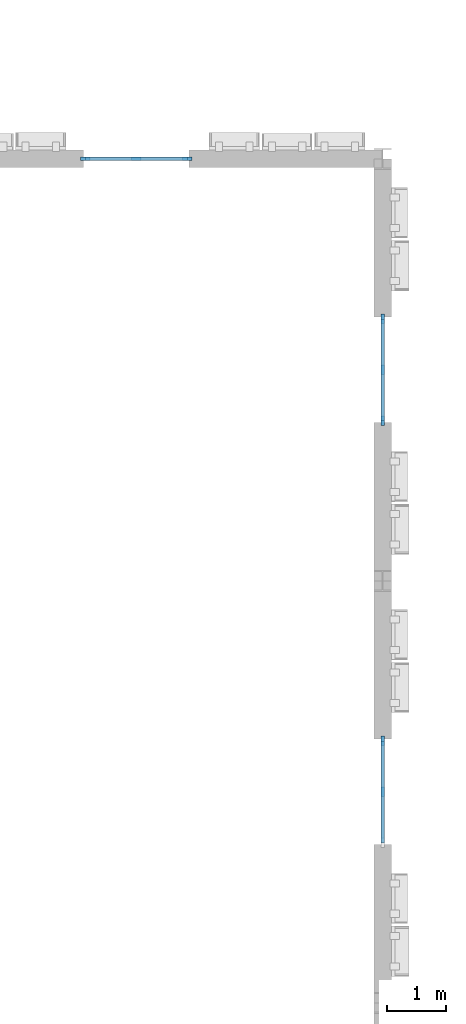
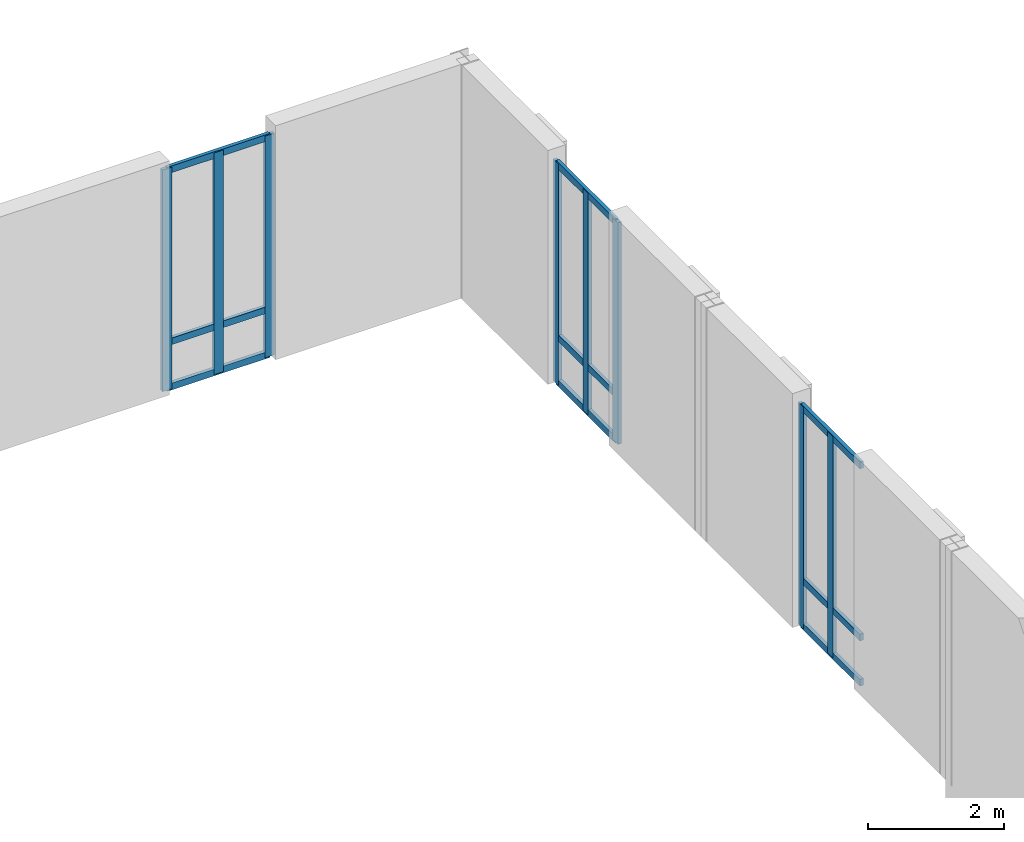
# One storey, part 8 of 81: 17 members, 3 elements without a shape of their own.
"""IFC4 building model written with IfcOpenShell, lengths in metres."""

from ifc_helpers import new_model, si_unit, direction, frame, origin, origin_2d, place, context, subcontext, project, spatial, rectangle, extrude, material, material_profile, profile_set, type_object, element, aggregate, save


model = new_model("IFC4")

# Units and contexts
model_context = context("Model", 3, precision=1e-05, world=origin(), true_north=direction((0.0, 1.0)))
body_context = subcontext(model_context, "Body", "Model", "MODEL_VIEW")
ifc_project = project(units=[si_unit("LENGTHUNIT", "METRE"), si_unit("AREAUNIT", "SQUARE_METRE"), si_unit("VOLUMEUNIT", "CUBIC_METRE"), si_unit("PLANEANGLEUNIT", "RADIAN"), si_unit("MASSUNIT", "GRAM", prefix="KILO")], contexts=[model_context])

# Site, building, storey
site_placement = place(None, origin())
site = spatial("IfcSite", under=ifc_project, at=site_placement, CompositionType="ELEMENT")
building_placement = place(site_placement, origin())
building = spatial("IfcBuilding", under=site, at=building_placement, Name="Kahlenmark Community Centre", CompositionType="ELEMENT")
storey_placement = place(building_placement, frame((0.0, 0.0, 9.60009765625)))
storey = spatial("IfcBuildingStorey", under=building, at=storey_placement, Name="L02", CompositionType="ELEMENT", Elevation=9.60009765625)

# Curtain wall, members
ifc_material_1 = material(Name="Anodised aluminium unitised curtain wall", Category="aluminium")
curtain_wall_type = type_object("IfcCurtainWallType", Name="CWT-UNIT-180X398", PredefinedType="USERDEFINED", material=ifc_material_1)
curtain_wall_1_placement = place(storey_placement, origin())
curtain_wall_1 = element("IfcCurtainWall", 1, at=curtain_wall_1_placement, inside=storey, type_object=curtain_wall_type, Name="Unitised curtain wall CW-065", ObjectType="UNITISED CURTAIN WALL", PredefinedType="USERDEFINED")
ifc_material_2 = material(Name="Anodised aluminium 6063-T6", Category="aluminium")
ifc_material_profile_1 = material_profile(ifc_material_2, rectangle(XDim=0.06005859375, YDim=0.159912109375, at=origin_2d()), Name="ALU MULLION 60x160")
ifc_profile_set_1 = profile_set([ifc_material_profile_1], Name="Anodised aluminium 6063-T6")
member_type_1 = type_object("IfcMemberType", Name="MT-MUL-160", PredefinedType="MULLION", material=ifc_profile_set_1)
member_1_placement = place(storey_placement, frame((42.669921875, 37.60009765625, 0.0), z_axis=(0.0, 0.0, 1.0), x_axis=(0.0, -1.0, 0.0)))
member_1 = element("IfcMember", 2, at=member_1_placement, type_object=member_type_1, Name="CW-065 mullion 1", PredefinedType="MULLION", context=body_context, shape_type="SweptSolid", body=[
    extrude(rectangle(XDim=0.06005859375, YDim=0.159912109375, at=origin_2d()), origin(), (0.0, 0.0, 1.0), 3.97998046875),
])
member_2_placement = place(storey_placement, frame((41.800048828125, 37.60009765625, 0.0), z_axis=(0.0, 0.0, 1.0), x_axis=(0.0, -1.0, 0.0)))
member_2 = element("IfcMember", 3, at=member_2_placement, type_object=member_type_1, Name="CW-065 mullion 2", PredefinedType="MULLION", context=body_context, shape_type="SweptSolid", body=[
    extrude(rectangle(XDim=0.06005859375, YDim=0.159912109375, at=origin_2d()), origin(), (0.0, 0.0, 1.0), 3.97998046875),
])
member_3_placement = place(storey_placement, frame((40.929931640625, 37.60009765625, 0.0), z_axis=(0.0, 0.0, 1.0), x_axis=(0.0, -1.0, 0.0)))
member_3 = element("IfcMember", 4, at=member_3_placement, type_object=member_type_1, Name="CW-065 mullion 3", PredefinedType="MULLION", context=body_context, shape_type="SweptSolid", body=[
    extrude(rectangle(XDim=0.06005859375, YDim=0.159912109375, at=origin_2d()), origin(), (0.0, 0.0, 1.0), 3.97998046875),
])

curtain_wall_2_placement = place(storey_placement, origin())
curtain_wall_2 = element("IfcCurtainWall", 5, at=curtain_wall_2_placement, inside=storey, type_object=curtain_wall_type, Name="Unitised curtain wall CW-068", ObjectType="UNITISED CURTAIN WALL", PredefinedType="USERDEFINED")
member_4_placement = place(storey_placement, frame((46.0, 26.800048828125, 0.0), z_axis=(0.0, 0.0, 1.0), x_axis=(-1.0, 0.0, 0.0)))
member_4 = element("IfcMember", 6, at=member_4_placement, type_object=member_type_1, Name="CW-068 mullion 2", PredefinedType="MULLION", context=body_context, shape_type="SweptSolid", body=[
    extrude(rectangle(XDim=0.06005859375, YDim=0.159912109375, at=origin_2d()), origin(), (0.0, 0.0, 1.0), 3.97998046875),
])
member_5_placement = place(storey_placement, frame((46.0, 27.669921875, 0.0), z_axis=(0.0, 0.0, 1.0), x_axis=(-1.0, 0.0, 0.0)))
member_5 = element("IfcMember", 7, at=member_5_placement, type_object=member_type_1, Name="CW-068 mullion 3", PredefinedType="MULLION", context=body_context, shape_type="SweptSolid", body=[
    extrude(rectangle(XDim=0.06005859375, YDim=0.159912109375, at=origin_2d()), origin(), (0.0, 0.0, 1.0), 3.97998046875),
])

curtain_wall_3_placement = place(storey_placement, origin())
curtain_wall_3 = element("IfcCurtainWall", 8, at=curtain_wall_3_placement, inside=storey, type_object=curtain_wall_type, Name="Unitised curtain wall CW-069", ObjectType="UNITISED CURTAIN WALL", PredefinedType="USERDEFINED")
member_6_placement = place(storey_placement, frame((46.0, 33.1298828125, 0.0), z_axis=(0.0, 0.0, 1.0), x_axis=(-1.0, 0.0, 0.0)))
member_6 = element("IfcMember", 9, at=member_6_placement, type_object=member_type_1, Name="CW-069 mullion 1", PredefinedType="MULLION", context=body_context, shape_type="SweptSolid", body=[
    extrude(rectangle(XDim=0.06005859375, YDim=0.159912109375, at=origin_2d()), origin(), (0.0, 0.0, 1.0), 3.97998046875),
])
member_7_placement = place(storey_placement, frame((46.0, 34.0, 0.0), z_axis=(0.0, 0.0, 1.0), x_axis=(-1.0, 0.0, 0.0)))
member_7 = element("IfcMember", 10, at=member_7_placement, type_object=member_type_1, Name="CW-069 mullion 2", PredefinedType="MULLION", context=body_context, shape_type="SweptSolid", body=[
    extrude(rectangle(XDim=0.06005859375, YDim=0.159912109375, at=origin_2d()), origin(), (0.0, 0.0, 1.0), 3.97998046875),
])
member_8_placement = place(storey_placement, frame((46.0, 34.8701171875, 0.0), z_axis=(0.0, 0.0, 1.0), x_axis=(-1.0, 0.0, 0.0)))
member_8 = element("IfcMember", 11, at=member_8_placement, type_object=member_type_1, Name="CW-069 mullion 3", PredefinedType="MULLION", context=body_context, shape_type="SweptSolid", body=[
    extrude(rectangle(XDim=0.06005859375, YDim=0.159912109375, at=origin_2d()), origin(), (0.0, 0.0, 1.0), 3.97998046875),
])

# Member
ifc_material_profile_2 = material_profile(ifc_material_2, rectangle(XDim=0.06005859375, YDim=0.1201171875, at=origin_2d()), Name="ALU TRANSOM 60x120")
ifc_profile_set_2 = profile_set([ifc_material_profile_2], Name="Anodised aluminium 6063-T6")
member_type_2 = type_object("IfcMemberType", Name="MT-TRN-120", PredefinedType="USERDEFINED", material=ifc_profile_set_2)
member_9_placement = place(storey_placement, frame((42.669921875, 37.60009765625, 0.039794921875), z_axis=(-1.0, 0.0, 0.0), x_axis=(0.0, -1.0, 0.0)))
member_9 = element("IfcMember", 12, at=member_9_placement, type_object=member_type_2, Name="CW-065 transom 1", ObjectType="TRANSOM", PredefinedType="USERDEFINED", context=body_context, shape_type="SweptSolid", body=[
    extrude(rectangle(XDim=0.06005859375, YDim=0.1201171875, at=origin_2d()), origin(), (0.0, 0.0, 1.0), 1.739990234375),
])

member_10_placement = place(storey_placement, frame((42.669921875, 37.60009765625, 0.849853515625), z_axis=(-1.0, 0.0, 0.0), x_axis=(0.0, -1.0, 0.0)))
member_10 = element("IfcMember", 13, at=member_10_placement, type_object=member_type_2, Name="CW-065 transom 2", ObjectType="TRANSOM", PredefinedType="USERDEFINED", context=body_context, shape_type="SweptSolid", body=[
    extrude(rectangle(XDim=0.06005859375, YDim=0.1201171875, at=origin_2d()), origin(), (0.0, 0.0, 1.0), 1.739990234375),
])

member_11_placement = place(storey_placement, frame((42.669921875, 37.60009765625, 3.93994140625), z_axis=(-1.0, 0.0, 0.0), x_axis=(0.0, -1.0, 0.0)))
member_11 = element("IfcMember", 14, at=member_11_placement, type_object=member_type_2, Name="CW-065 transom 3", ObjectType="TRANSOM", PredefinedType="USERDEFINED", context=body_context, shape_type="SweptSolid", body=[
    extrude(rectangle(XDim=0.06005859375, YDim=0.1201171875, at=origin_2d()), origin(), (0.0, 0.0, 1.0), 1.739990234375),
])

aggregate(curtain_wall_1, [member_1, member_2, member_3, member_9, member_10, member_11])

member_12_placement = place(storey_placement, frame((46.0, 25.929931640625, 0.039794921875), z_axis=(0.0, 1.0, 0.0), x_axis=(-1.0, 0.0, 0.0)))
member_12 = element("IfcMember", 15, at=member_12_placement, type_object=member_type_2, Name="CW-068 transom 1", ObjectType="TRANSOM", PredefinedType="USERDEFINED", context=body_context, shape_type="SweptSolid", body=[
    extrude(rectangle(XDim=0.06005859375, YDim=0.1201171875, at=origin_2d()), origin(), (0.0, 0.0, 1.0), 1.739990234375),
])

member_13_placement = place(storey_placement, frame((46.0, 25.929931640625, 0.849853515625), z_axis=(0.0, 1.0, 0.0), x_axis=(-1.0, 0.0, 0.0)))
member_13 = element("IfcMember", 16, at=member_13_placement, type_object=member_type_2, Name="CW-068 transom 2", ObjectType="TRANSOM", PredefinedType="USERDEFINED", context=body_context, shape_type="SweptSolid", body=[
    extrude(rectangle(XDim=0.06005859375, YDim=0.1201171875, at=origin_2d()), origin(), (0.0, 0.0, 1.0), 1.739990234375),
])

member_14_placement = place(storey_placement, frame((46.0, 25.929931640625, 3.93994140625), z_axis=(0.0, 1.0, 0.0), x_axis=(-1.0, 0.0, 0.0)))
member_14 = element("IfcMember", 17, at=member_14_placement, type_object=member_type_2, Name="CW-068 transom 3", ObjectType="TRANSOM", PredefinedType="USERDEFINED", context=body_context, shape_type="SweptSolid", body=[
    extrude(rectangle(XDim=0.06005859375, YDim=0.1201171875, at=origin_2d()), origin(), (0.0, 0.0, 1.0), 1.739990234375),
])

aggregate(curtain_wall_2, [member_4, member_5, member_12, member_13, member_14])

member_15_placement = place(storey_placement, frame((46.0, 33.1298828125, 0.039794921875), z_axis=(0.0, 1.0, 0.0), x_axis=(-1.0, 0.0, 0.0)))
member_15 = element("IfcMember", 18, at=member_15_placement, type_object=member_type_2, Name="CW-069 transom 1", ObjectType="TRANSOM", PredefinedType="USERDEFINED", context=body_context, shape_type="SweptSolid", body=[
    extrude(rectangle(XDim=0.06005859375, YDim=0.1201171875, at=origin_2d()), origin(), (0.0, 0.0, 1.0), 1.740234375),
])

member_16_placement = place(storey_placement, frame((46.0, 33.1298828125, 0.849853515625), z_axis=(0.0, 1.0, 0.0), x_axis=(-1.0, 0.0, 0.0)))
member_16 = element("IfcMember", 19, at=member_16_placement, type_object=member_type_2, Name="CW-069 transom 2", ObjectType="TRANSOM", PredefinedType="USERDEFINED", context=body_context, shape_type="SweptSolid", body=[
    extrude(rectangle(XDim=0.06005859375, YDim=0.1201171875, at=origin_2d()), origin(), (0.0, 0.0, 1.0), 1.740234375),
])

member_17_placement = place(storey_placement, frame((46.0, 33.1298828125, 3.93994140625), z_axis=(0.0, 1.0, 0.0), x_axis=(-1.0, 0.0, 0.0)))
member_17 = element("IfcMember", 20, at=member_17_placement, type_object=member_type_2, Name="CW-069 transom 3", ObjectType="TRANSOM", PredefinedType="USERDEFINED", context=body_context, shape_type="SweptSolid", body=[
    extrude(rectangle(XDim=0.06005859375, YDim=0.1201171875, at=origin_2d()), origin(), (0.0, 0.0, 1.0), 1.740234375),
])

aggregate(curtain_wall_3, [member_6, member_7, member_8, member_15, member_16, member_17])

save(model, "model.ifc")
